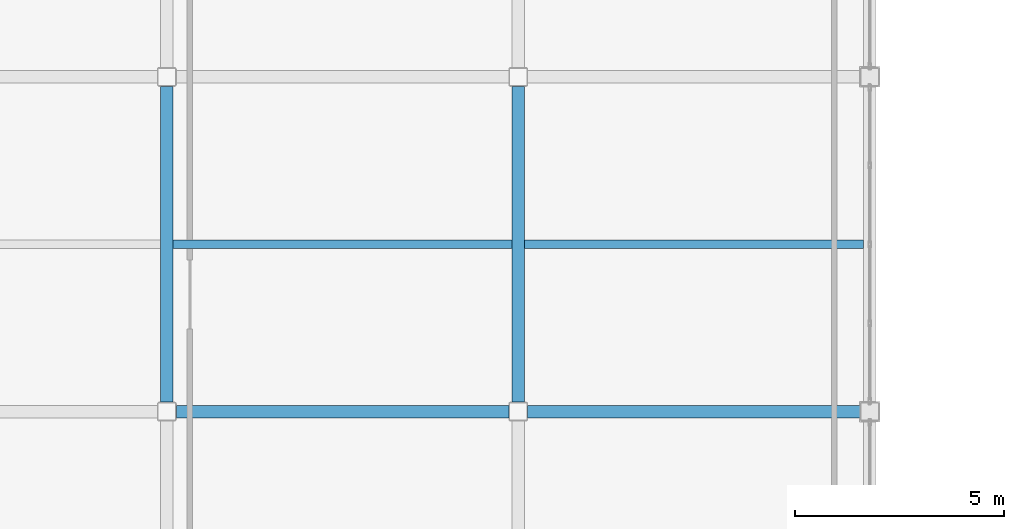
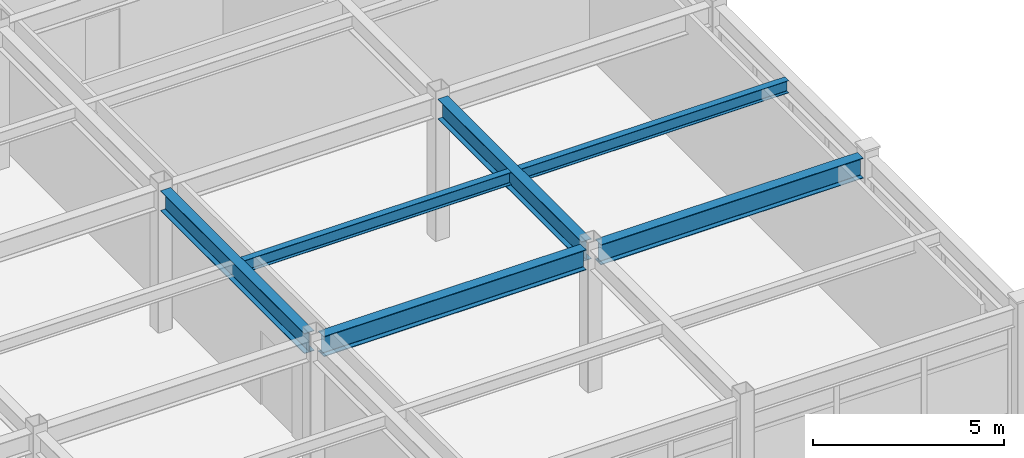
# One storey, part 82 of 172: 6 beams.
"""IFC4 building model written with IfcOpenShell, lengths in metres."""

from ifc_helpers import new_model, si_unit, direction, frame, origin, origin_2d, place, context, subcontext, project, spatial, i_section, extrude, material, material_profile, profile_set, type_object, element, save


model = new_model("IFC4")

# Units and contexts
model_context = context("Model", 3, precision=1e-05, world=origin(), true_north=direction((0.0, 1.0)))
body_context = subcontext(model_context, "Body", "Model", "MODEL_VIEW")
ifc_project = project(units=[si_unit("LENGTHUNIT", "METRE"), si_unit("AREAUNIT", "SQUARE_METRE"), si_unit("VOLUMEUNIT", "CUBIC_METRE"), si_unit("PLANEANGLEUNIT", "RADIAN"), si_unit("MASSUNIT", "GRAM", prefix="KILO")], contexts=[model_context])

# Site, building, storey
site_placement = place(None, origin())
site = spatial("IfcSite", under=ifc_project, at=site_placement, CompositionType="ELEMENT")
building_placement = place(site_placement, origin())
building = spatial("IfcBuilding", under=site, at=building_placement, Name="Kazehara Bluff Congress Hotel", CompositionType="ELEMENT")
storey_placement = place(building_placement, frame((0.0, 0.0, 5.39990234375)))
storey = spatial("IfcBuildingStorey", under=building, at=storey_placement, Name="L01", CompositionType="ELEMENT", Elevation=5.39990234375)

# Beams
ifc_material_1 = material(Name="Steel SN490B", Category="steel")
ifc_material_profile_1 = material_profile(ifc_material_1, i_section(OverallWidth=0.300048828125, OverallDepth=0.64990234375, WebThickness=0.011962890625, FlangeThickness=0.02001953125, FilletRadius=0.012939453125, at=origin_2d()))
ifc_profile_set_1 = profile_set([ifc_material_profile_1], Name="Steel SN490B")
beam_type_1 = type_object("IfcBeamType", Name="TP-G-03", PredefinedType="BEAM", material=ifc_profile_set_1)
for number, where, z_axis, x_axis, name in (
    (1, (84.449951171875, 89.125, 4.22509765625), (0.0, 1.0, 0.0), (-1.0, 0.0, 0.0), "L01 girder G-03 112"),
    (2, (92.85009765625, 89.125, 4.22509765625), (0.0, 1.0, 0.0), (-1.0, 0.0, 0.0), "L01 girder G-03 116"),
):
    element("IfcBeam", number, at=place(storey_placement, frame(where, z_axis=z_axis, x_axis=x_axis)), inside=storey, type_object=beam_type_1, Name=name, PredefinedType="BEAM", context=body_context, shape_type="SweptSolid", body=[
        extrude(i_section(OverallWidth=0.300048828125, OverallDepth=0.64990234375, WebThickness=0.011962890625, FlangeThickness=0.02001953125, FilletRadius=0.012939453125, at=origin_2d()), origin(), (0.0, 0.0, 1.0), 7.550048828125),
    ])
for number, where, z_axis, x_axis, name in (
    (3, (84.675048828125, 88.89990234375, 4.22509765625), (1.0, 0.0, 0.0), (0.0, 1.0, 0.0), "L01 girder G-03 131"),
    (4, (93.074951171875, 88.89990234375, 4.22509765625), (1.0, 0.0, 0.0), (0.0, 1.0, 0.0), "L01 girder G-03 132"),
):
    element("IfcBeam", number, at=place(storey_placement, frame(where, z_axis=z_axis, x_axis=x_axis)), inside=storey, type_object=beam_type_1, Name=name, PredefinedType="BEAM", context=body_context, shape_type="SweptSolid", body=[
        extrude(i_section(OverallWidth=0.300048828125, OverallDepth=0.64990234375, WebThickness=0.011962890625, FlangeThickness=0.02001953125, FilletRadius=0.012939453125, at=origin_2d()), origin(), (0.0, 0.0, 1.0), 7.949951171875),
    ])
ifc_material_2 = material(Name="Steel SN400B", Category="steel")
ifc_material_profile_2 = material_profile(ifc_material_2, i_section(OverallWidth=0.199951171875, OverallDepth=0.39990234375, WebThickness=0.008056640625, FlangeThickness=0.012939453125, FilletRadius=0.012939453125, at=origin_2d()))
ifc_profile_set_2 = profile_set([ifc_material_profile_2], Name="Steel SN400B")
beam_type_2 = type_object("IfcBeamType", Name="TP-J-03", PredefinedType="JOIST", material=ifc_profile_set_2)
beam_1_placement = place(storey_placement, frame((84.60009765625, 92.89990234375, 4.35009765625), z_axis=(1.0, 0.0, 0.0), x_axis=(0.0, 1.0, 0.0)))
element("IfcBeam", 5, at=beam_1_placement, inside=storey, type_object=beam_type_2, Name="L01 secondary joist J-03 26", PredefinedType="JOIST", context=body_context, shape_type="SweptSolid", body=[
    extrude(i_section(OverallWidth=0.199951171875, OverallDepth=0.39990234375, WebThickness=0.008056640625, FlangeThickness=0.012939453125, FilletRadius=0.012939453125, at=origin_2d()), origin(), (0.0, 0.0, 1.0), 8.099853515625),
])
beam_2_placement = place(storey_placement, frame((93.0, 92.89990234375, 4.35009765625), z_axis=(1.0, 0.0, 0.0), x_axis=(0.0, 1.0, 0.0)))
element("IfcBeam", 6, at=beam_2_placement, inside=storey, type_object=beam_type_2, Name="L01 secondary joist J-03 30", PredefinedType="JOIST", context=body_context, shape_type="SweptSolid", body=[
    extrude(i_section(OverallWidth=0.199951171875, OverallDepth=0.39990234375, WebThickness=0.008056640625, FlangeThickness=0.012939453125, FilletRadius=0.012939453125, at=origin_2d()), origin(), (0.0, 0.0, 1.0), 8.10009765625),
])

save(model, "model.ifc")
